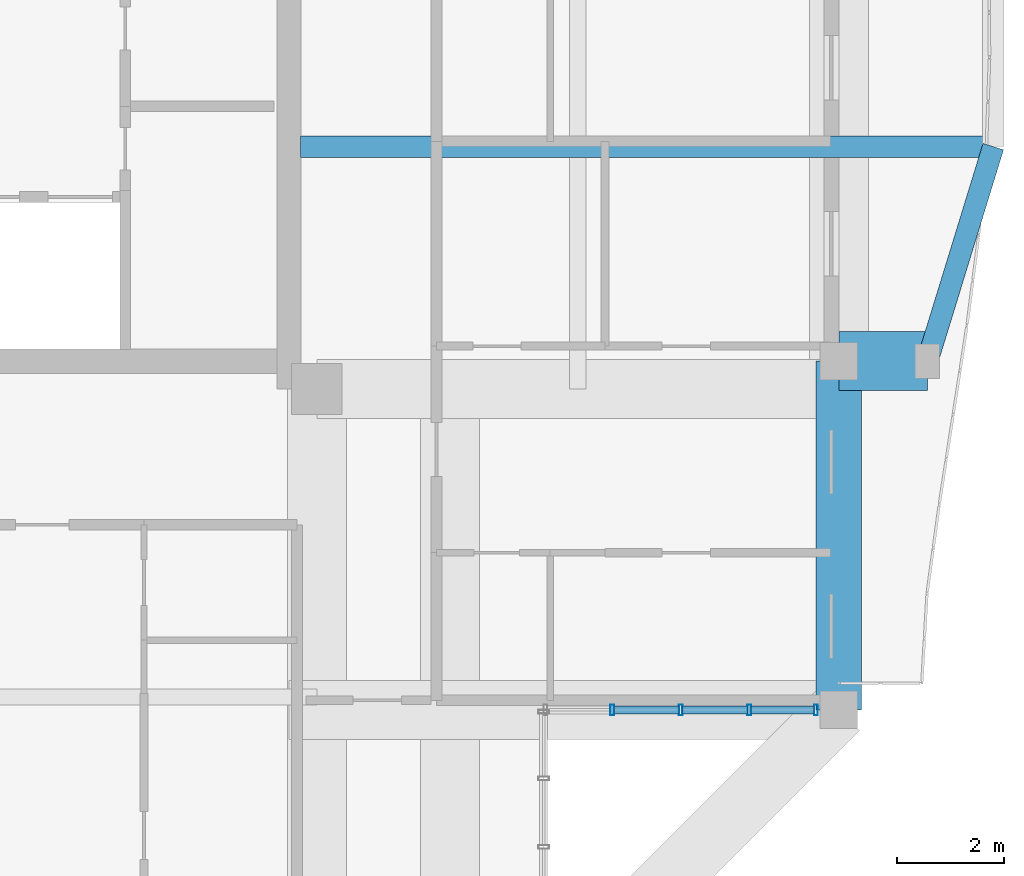
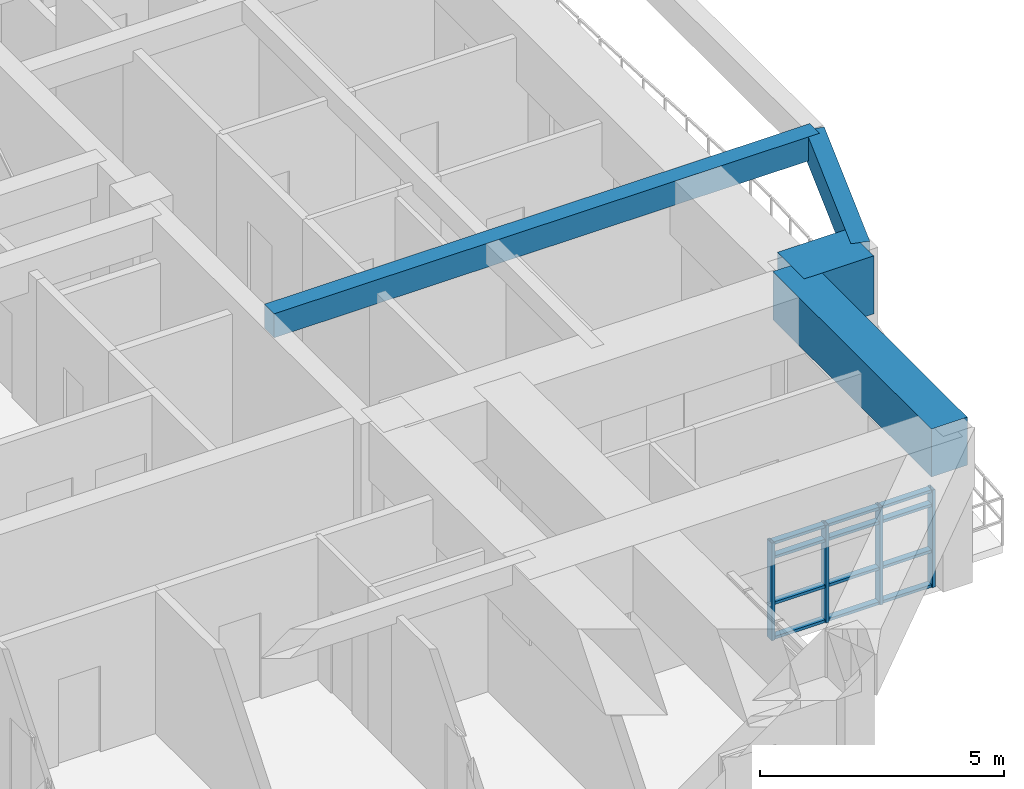
# One storey, part 6 of 27: 16 members, 4 beams, 1 element without a shape of its own.
"""IFC4 building model written with IfcOpenShell, lengths in metres."""

from ifc_helpers import new_model, si_unit, direction, frame, origin, origin_2d, place, context, subcontext, project, spatial, rectangle, hollow_rectangle, extrude, source, transform, mapped, material, layer, layer_set, material_profile, profile_set, type_object, element, aggregate, save


model = new_model("IFC4")

# Units and contexts
model_context = context("Model", 3, precision=1e-05, world=origin(), true_north=direction((0.0, 1.0)))
body_context = subcontext(model_context, "Body", "Model", "MODEL_VIEW")
ifc_project = project(units=[si_unit("LENGTHUNIT", "METRE"), si_unit("AREAUNIT", "SQUARE_METRE"), si_unit("VOLUMEUNIT", "CUBIC_METRE"), si_unit("PLANEANGLEUNIT", "RADIAN"), si_unit("MASSUNIT", "GRAM", prefix="KILO")], contexts=[model_context])

# Site, building, storey
site_placement = place(None, origin())
site = spatial("IfcSite", under=ifc_project, at=site_placement, CompositionType="ELEMENT")
building_placement = place(site_placement, origin())
building = spatial("IfcBuilding", under=site, at=building_placement, Name="Saelheon Loggia Tower", CompositionType="ELEMENT")
storey_placement = place(building_placement, frame((0.0, 0.0, 236.10009765625)))
storey = spatial("IfcBuildingStorey", under=building, at=storey_placement, Name="L73", CompositionType="ELEMENT", Elevation=236.10009765625)

# Beams
ifc_material_1 = material(Name="Concrete C50/60", Category="concrete")
ifc_material_profile_1 = material_profile(ifc_material_1, rectangle(XDim=1.10009765625, YDim=1.449951171875, at=origin_2d()), Name="RC-1100x1450")
ifc_profile_set_1 = profile_set([ifc_material_profile_1], Name="Concrete C50/60")
beam_type_1 = type_object("IfcBeamType", Name="Beam_PerimTransfer_RC1100x1450", PredefinedType="BEAM", material=ifc_profile_set_1)
shared_shape_1 = source(origin(), body_context, "Body", "SweptSolid", [
    extrude(rectangle(XDim=1.10009765625, YDim=1.449951171875, at=origin_2d()), origin(), (0.0, 0.0, 1.0), 1.64990234375),
])
beam_1_placement = place(storey_placement, frame((54.75, 18.0, 3.1748046875), z_axis=(1.0, 0.0, 0.0), x_axis=(0.0, 1.0, 0.0)))
element("IfcBeam", 1, at=beam_1_placement, inside=storey, type_object=beam_type_1, Name="L73 Loggia Frame Tie Beam LP-E1", PredefinedType="BEAM", context=body_context, shape_type="MappedRepresentation", body=[
    mapped(shared_shape_1, transform((0.0, 0.0, 0.0), scale=1.0)),
])
ifc_material_2 = material(Name="Precast Concrete C45/55", Category="concrete")
ifc_material_profile_2 = material_profile(ifc_material_2, rectangle(XDim=0.39990234375, YDim=0.699951171875, at=origin_2d()), Name="RC-400x700")
ifc_profile_set_2 = profile_set([ifc_material_profile_2], Name="Precast Concrete C45/55")
beam_type_2 = type_object("IfcBeamType", Name="Beam_LoggiaSpandrel_RC400x700", PredefinedType="SPANDREL", material=ifc_profile_set_2)
shared_shape_2 = source(origin(), body_context, "Body", "SweptSolid", [
    extrude(rectangle(XDim=0.39990234375, YDim=0.699951171875, at=origin_2d()), origin(), (0.0, 0.0, 1.0), 4.184814453125),
])
beam_2_placement = place(storey_placement, frame((56.39990234375, 18.0, 3.5498046875), z_axis=(0.293913664135, 0.955831971653, 0.0), x_axis=(-0.955831971653, 0.293913664135, 0.0)))
element("IfcBeam", 2, at=beam_2_placement, inside=storey, type_object=beam_type_2, Name="L73 Curved Loggia Spandrel E 1", PredefinedType="SPANDREL", context=body_context, shape_type="MappedRepresentation", body=[
    mapped(shared_shape_2, transform((0.0, 0.0, 0.0), scale=1.0)),
])
ifc_material_profile_3 = material_profile(ifc_material_1, rectangle(XDim=0.85009765625, YDim=1.199951171875, at=origin_2d()), Name="RC-850x1200")
ifc_profile_set_3 = profile_set([ifc_material_profile_3], Name="Concrete C50/60")
beam_type_3 = type_object("IfcBeamType", Name="Beam_CornerShoulder_RC850x1200", PredefinedType="BEAM", material=ifc_profile_set_3)
shared_shape_3 = source(origin(), body_context, "Body", "SweptSolid", [
    extrude(rectangle(XDim=0.85009765625, YDim=1.199951171875, at=origin_2d()), origin(), (0.0, 0.0, 1.0), 6.5),
])
beam_3_placement = place(storey_placement, frame((54.75, 11.5, 3.2998046875), z_axis=(0.0, 1.0, 0.0), x_axis=(-1.0, 0.0, 0.0)))
element("IfcBeam", 3, at=beam_3_placement, inside=storey, type_object=beam_type_3, Name="L73 Corner Shoulder Beam 05", PredefinedType="BEAM", context=body_context, shape_type="MappedRepresentation", body=[
    mapped(shared_shape_3, transform((0.0, 0.0, 0.0), scale=1.0)),
])
ifc_material_profile_4 = material_profile(ifc_material_2, rectangle(XDim=0.39990234375, YDim=0.60009765625, at=origin_2d()), Name="RC-400x600")
ifc_profile_set_4 = profile_set([ifc_material_profile_4], Name="Precast Concrete C45/55")
beam_type_4 = type_object("IfcBeamType", Name="Beam_LoggiaTie_RC400x600", PredefinedType="BEAM", material=ifc_profile_set_4)
shared_shape_4 = source(origin(), body_context, "Body", "SweptSolid", [
    extrude(rectangle(XDim=0.39990234375, YDim=0.60009765625, at=origin_2d()), origin(), (0.0, 0.0, 1.0), 12.909912109375),
])
beam_4_placement = place(storey_placement, frame((44.719970703125, 22.0, 3.599853515625), z_axis=(1.0, 0.0, 0.0), x_axis=(0.0, 1.0, 0.0)))
element("IfcBeam", 4, at=beam_4_placement, inside=storey, type_object=beam_type_4, Name="L73 Curved Facade Outrigger Beam E 1", PredefinedType="BEAM", context=body_context, shape_type="MappedRepresentation", body=[
    mapped(shared_shape_4, transform((0.0, 0.0, 0.0), scale=1.0)),
])

# Curtain wall, members
ifc_material_3 = material(Name="High-Wind Aluminium and Triple Laminated Glass", Category="aluminium")
ifc_layer = layer(ifc_material_3, 0.179931640625)
ifc_layer_set = layer_set([ifc_layer], Name="High-Wind Aluminium and Triple Laminated Glass")
curtain_wall_type = type_object("IfcCurtainWallType", Name="CW_TowerLoggiaHigh", PredefinedType="NOTDEFINED", material=ifc_layer_set)
curtain_wall_placement = place(storey_placement, origin())
curtain_wall = element("IfcCurtainWall", 5, at=curtain_wall_placement, inside=storey, type_object=curtain_wall_type, Name="L73 Corner Notch Glazing SE2", PredefinedType="NOTDEFINED")
ifc_material_4 = material(Name="Anodised Aluminium 6063-T6", Category="aluminium")
ifc_material_profile_5 = material_profile(ifc_material_4, hollow_rectangle(XDim=0.070068359375, YDim=0.199951171875, WallThickness=0.0048828125, at=origin_2d()), Name="RHS-200x70x5")
ifc_profile_set_5 = profile_set([ifc_material_profile_5], Name="Anodised Aluminium 6063-T6")
member_type_1 = type_object("IfcMemberType", Name="CW_TowerLoggiaHigh_Mullion", PredefinedType="MULLION", material=ifc_profile_set_5)
shared_shape_5 = source(origin(), body_context, "Body", "SweptSolid", [
    extrude(hollow_rectangle(XDim=0.070068359375, YDim=0.199951171875, WallThickness=0.0048828125, at=origin_2d()), origin(), (0.0, 0.0, 1.0), 2.43994140625),
])
member_1_placement = place(storey_placement, frame((50.527587890625, 11.5, 0.0), z_axis=(0.0, 0.0, 1.0), x_axis=(1.0, 0.0, 0.0)))
member_1 = element("IfcMember", 6, at=member_1_placement, type_object=member_type_1, Name="CW4 mullion 2", PredefinedType="MULLION", context=body_context, shape_type="MappedRepresentation", body=[
    mapped(shared_shape_5, transform((0.0, 0.0, 0.0), scale=1.0)),
])
member_2_placement = place(storey_placement, frame((51.804931640625, 11.5, 0.0), z_axis=(0.0, 0.0, 1.0), x_axis=(1.0, 0.0, 0.0)))
member_2 = element("IfcMember", 7, at=member_2_placement, type_object=member_type_1, Name="CW4 mullion 3", PredefinedType="MULLION", context=body_context, shape_type="MappedRepresentation", body=[
    mapped(shared_shape_5, transform((0.0, 0.0, 0.0), scale=1.0)),
])
member_3_placement = place(storey_placement, frame((53.08251953125, 11.5, 0.0), z_axis=(0.0, 0.0, 1.0), x_axis=(1.0, 0.0, 0.0)))
member_3 = element("IfcMember", 8, at=member_3_placement, type_object=member_type_1, Name="CW4 mullion 4", PredefinedType="MULLION", context=body_context, shape_type="MappedRepresentation", body=[
    mapped(shared_shape_5, transform((0.0, 0.0, 0.0), scale=1.0)),
])
member_4_placement = place(storey_placement, frame((54.324951171875, 11.5, 0.0), z_axis=(0.0, 0.0, 1.0), x_axis=(1.0, 0.0, 0.0)))
member_4 = element("IfcMember", 9, at=member_4_placement, type_object=member_type_1, Name="CW4 mullion 5", PredefinedType="MULLION", context=body_context, shape_type="MappedRepresentation", body=[
    mapped(shared_shape_5, transform((0.0, 0.0, 0.0), scale=1.0)),
])
ifc_material_profile_6 = material_profile(ifc_material_4, hollow_rectangle(XDim=0.070068359375, YDim=0.14990234375, WallThickness=0.0048828125, at=origin_2d()), Name="RHS-150x70x5")
ifc_profile_set_6 = profile_set([ifc_material_profile_6], Name="Anodised Aluminium 6063-T6")
member_type_2 = type_object("IfcMemberType", Name="CW_TowerLoggiaHigh_Transom", PredefinedType="USERDEFINED", material=ifc_profile_set_6)
shared_shape_6 = source(origin(), body_context, "Body", "SweptSolid", [
    extrude(hollow_rectangle(XDim=0.070068359375, YDim=0.14990234375, WallThickness=0.0048828125, at=origin_2d()), origin(), (0.0, 0.0, 1.0), 1.172607421875),
])
member_5_placement = place(storey_placement, frame((53.117431640625, 11.5, 0.034912109375), z_axis=(1.0, 0.0, 0.0), x_axis=(0.0, 0.0, 1.0)))
member_5 = element("IfcMember", 10, at=member_5_placement, type_object=member_type_2, Name="CW4 transom 4.1", ObjectType="TRANSOM", PredefinedType="USERDEFINED", context=body_context, shape_type="MappedRepresentation", body=[
    mapped(shared_shape_6, transform((0.0, 0.0, 0.0), scale=1.0)),
])
member_6_placement = place(storey_placement, frame((53.117431640625, 11.5, 0.89990234375), z_axis=(1.0, 0.0, 0.0), x_axis=(0.0, 0.0, 1.0)))
member_6 = element("IfcMember", 11, at=member_6_placement, type_object=member_type_2, Name="CW4 transom 4.2", ObjectType="TRANSOM", PredefinedType="USERDEFINED", context=body_context, shape_type="MappedRepresentation", body=[
    mapped(shared_shape_6, transform((0.0, 0.0, 0.0), scale=1.0)),
])
member_7_placement = place(storey_placement, frame((53.117431640625, 11.5, 2.0498046875), z_axis=(1.0, 0.0, 0.0), x_axis=(0.0, 0.0, 1.0)))
member_7 = element("IfcMember", 12, at=member_7_placement, type_object=member_type_2, Name="CW4 transom 4.3", ObjectType="TRANSOM", PredefinedType="USERDEFINED", context=body_context, shape_type="MappedRepresentation", body=[
    mapped(shared_shape_6, transform((0.0, 0.0, 0.0), scale=1.0)),
])
member_8_placement = place(storey_placement, frame((53.117431640625, 11.5, 2.40478515625), z_axis=(1.0, 0.0, 0.0), x_axis=(0.0, 0.0, 1.0)))
member_8 = element("IfcMember", 13, at=member_8_placement, type_object=member_type_2, Name="CW4 transom 4.4", ObjectType="TRANSOM", PredefinedType="USERDEFINED", context=body_context, shape_type="MappedRepresentation", body=[
    mapped(shared_shape_6, transform((0.0, 0.0, 0.0), scale=1.0)),
])
shared_shape_7 = source(origin(), body_context, "Body", "SweptSolid", [
    extrude(hollow_rectangle(XDim=0.070068359375, YDim=0.14990234375, WallThickness=0.0048828125, at=origin_2d()), origin(), (0.0, 0.0, 1.0), 1.20751953125),
])
member_9_placement = place(storey_placement, frame((50.5625, 11.5, 0.034912109375), z_axis=(1.0, 0.0, 0.0), x_axis=(0.0, 0.0, 1.0)))
member_9 = element("IfcMember", 14, at=member_9_placement, type_object=member_type_2, Name="CW4 transom 2.1", ObjectType="TRANSOM", PredefinedType="USERDEFINED", context=body_context, shape_type="MappedRepresentation", body=[
    mapped(shared_shape_7, transform((0.0, 0.0, 0.0), scale=1.0)),
])
member_10_placement = place(storey_placement, frame((50.5625, 11.5, 0.89990234375), z_axis=(1.0, 0.0, 0.0), x_axis=(0.0, 0.0, 1.0)))
member_10 = element("IfcMember", 15, at=member_10_placement, type_object=member_type_2, Name="CW4 transom 2.2", ObjectType="TRANSOM", PredefinedType="USERDEFINED", context=body_context, shape_type="MappedRepresentation", body=[
    mapped(shared_shape_7, transform((0.0, 0.0, 0.0), scale=1.0)),
])
member_11_placement = place(storey_placement, frame((50.5625, 11.5, 2.0498046875), z_axis=(1.0, 0.0, 0.0), x_axis=(0.0, 0.0, 1.0)))
member_11 = element("IfcMember", 16, at=member_11_placement, type_object=member_type_2, Name="CW4 transom 2.3", ObjectType="TRANSOM", PredefinedType="USERDEFINED", context=body_context, shape_type="MappedRepresentation", body=[
    mapped(shared_shape_7, transform((0.0, 0.0, 0.0), scale=1.0)),
])
member_12_placement = place(storey_placement, frame((50.5625, 11.5, 2.40478515625), z_axis=(1.0, 0.0, 0.0), x_axis=(0.0, 0.0, 1.0)))
member_12 = element("IfcMember", 17, at=member_12_placement, type_object=member_type_2, Name="CW4 transom 2.4", ObjectType="TRANSOM", PredefinedType="USERDEFINED", context=body_context, shape_type="MappedRepresentation", body=[
    mapped(shared_shape_7, transform((0.0, 0.0, 0.0), scale=1.0)),
])
member_13_placement = place(storey_placement, frame((51.840087890625, 11.5, 0.034912109375), z_axis=(1.0, 0.0, 0.0), x_axis=(0.0, 0.0, 1.0)))
member_13 = element("IfcMember", 18, at=member_13_placement, type_object=member_type_2, Name="CW4 transom 3.1", ObjectType="TRANSOM", PredefinedType="USERDEFINED", context=body_context, shape_type="MappedRepresentation", body=[
    mapped(shared_shape_7, transform((0.0, 0.0, 0.0), scale=1.0)),
])
member_14_placement = place(storey_placement, frame((51.840087890625, 11.5, 0.89990234375), z_axis=(1.0, 0.0, 0.0), x_axis=(0.0, 0.0, 1.0)))
member_14 = element("IfcMember", 19, at=member_14_placement, type_object=member_type_2, Name="CW4 transom 3.2", ObjectType="TRANSOM", PredefinedType="USERDEFINED", context=body_context, shape_type="MappedRepresentation", body=[
    mapped(shared_shape_7, transform((0.0, 0.0, 0.0), scale=1.0)),
])
member_15_placement = place(storey_placement, frame((51.840087890625, 11.5, 2.0498046875), z_axis=(1.0, 0.0, 0.0), x_axis=(0.0, 0.0, 1.0)))
member_15 = element("IfcMember", 20, at=member_15_placement, type_object=member_type_2, Name="CW4 transom 3.3", ObjectType="TRANSOM", PredefinedType="USERDEFINED", context=body_context, shape_type="MappedRepresentation", body=[
    mapped(shared_shape_7, transform((0.0, 0.0, 0.0), scale=1.0)),
])
member_16_placement = place(storey_placement, frame((51.840087890625, 11.5, 2.40478515625), z_axis=(1.0, 0.0, 0.0), x_axis=(0.0, 0.0, 1.0)))
member_16 = element("IfcMember", 21, at=member_16_placement, type_object=member_type_2, Name="CW4 transom 3.4", ObjectType="TRANSOM", PredefinedType="USERDEFINED", context=body_context, shape_type="MappedRepresentation", body=[
    mapped(shared_shape_7, transform((0.0, 0.0, 0.0), scale=1.0)),
])
aggregate(curtain_wall, [member_1, member_2, member_3, member_4, member_9, member_10, member_11, member_12, member_13, member_14, member_15, member_16, member_5, member_6, member_7, member_8])

save(model, "model.ifc")
